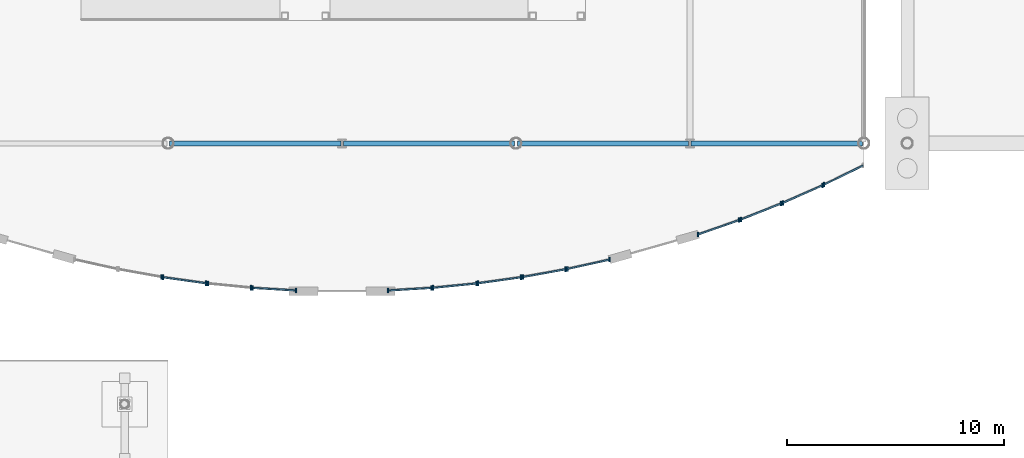
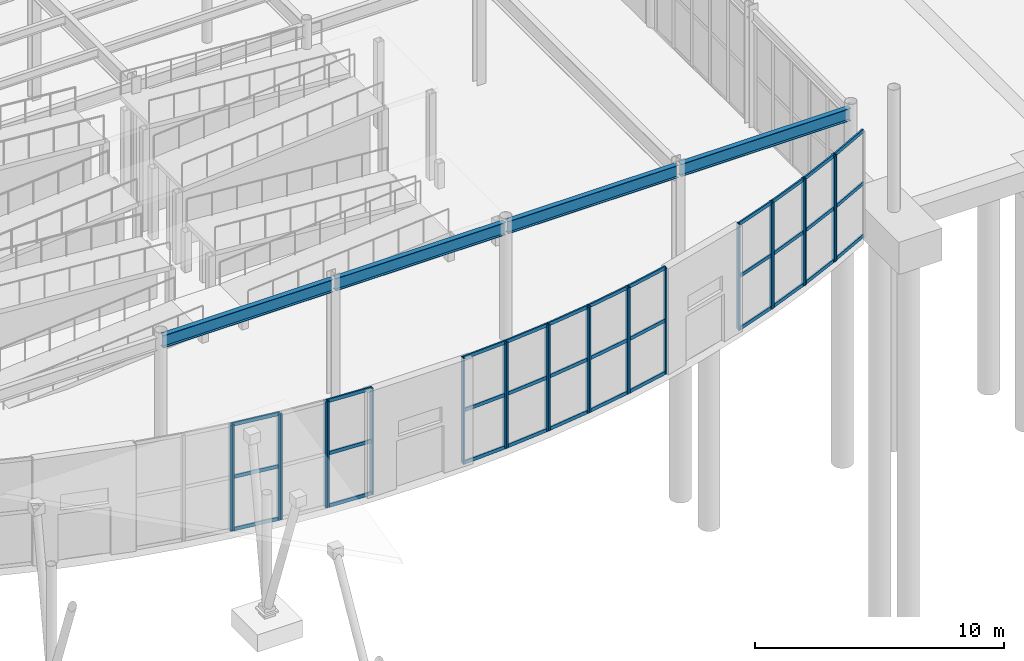
# One storey, part 34 of 82: 57 members, 4 beams, 13 elements without a shape of their own.
"""IFC4 building model written with IfcOpenShell, lengths in metres."""

from ifc_helpers import new_model, si_unit, direction, frame, origin, origin_2d, place, context, subcontext, project, spatial, rectangle, i_section, extrude, material, material_profile, profile_set, type_object, element, aggregate, save


model = new_model("IFC4")

# Units and contexts
model_context = context("Model", 3, precision=1e-05, world=origin(), true_north=direction((0.0, 1.0)))
body_context = subcontext(model_context, "Body", "Model", "MODEL_VIEW")
ifc_project = project(units=[si_unit("LENGTHUNIT", "METRE"), si_unit("AREAUNIT", "SQUARE_METRE"), si_unit("VOLUMEUNIT", "CUBIC_METRE"), si_unit("PLANEANGLEUNIT", "RADIAN"), si_unit("MASSUNIT", "GRAM", prefix="KILO")], contexts=[model_context])

# Site, building, storey
site_placement = place(None, origin())
site = spatial("IfcSite", under=ifc_project, at=site_placement, CompositionType="ELEMENT")
building_placement = place(site_placement, origin())
building = spatial("IfcBuilding", under=site, at=building_placement, Name="Drelvath Fold Interchange", CompositionType="ELEMENT")
storey_placement = place(building_placement, origin())
storey = spatial("IfcBuildingStorey", under=building, at=storey_placement, Name="L00", CompositionType="ELEMENT", Elevation=0.0)

# Beams
ifc_material_1 = material(Name="Steel ASTM A992 Grade 50", Category="steel")
ifc_material_profile_1 = material_profile(ifc_material_1, i_section(OverallWidth=0.22998046875, OverallDepth=0.616943359375, WebThickness=0.01318359375, FlangeThickness=0.022216796875, at=origin_2d()), Name="W24X94")
ifc_profile_set_1 = profile_set([ifc_material_profile_1], Name="Steel ASTM A992 Grade 50")
beam_type = type_object("IfcBeamType", Name="BM-W24X94", PredefinedType="BEAM", material=ifc_profile_set_1)
for number, where, z_axis, x_axis, name in (
    (1, (68.06005859375, 27.0, 5.430908203125), (1.0, 0.0, 0.0), (0.0, 1.0, 0.0), "L00 Primary X girder BM-W24X94"),
    (2, (76.06005859375, 27.0, 5.430908203125), (1.0, 0.0, 0.0), (0.0, 1.0, 0.0), "L00 Primary X girder BM-W24X94"),
    (3, (84.06005859375, 27.0, 5.430908203125), (1.0, 0.0, 0.0), (0.0, 1.0, 0.0), "L00 Primary X girder BM-W24X94"),
    (4, (92.06005859375, 27.0, 5.430908203125), (1.0, 0.0, 0.0), (0.0, 1.0, 0.0), "L00 Primary X girder BM-W24X94"),
):
    element("IfcBeam", number, at=place(storey_placement, frame(where, z_axis=z_axis, x_axis=x_axis)), inside=storey, type_object=beam_type, Name=name, PredefinedType="BEAM", context=body_context, shape_type="SweptSolid", body=[
        extrude(i_section(OverallWidth=0.22998046875, OverallDepth=0.616943359375, WebThickness=0.01318359375, FlangeThickness=0.022216796875, at=origin_2d()), origin(), (0.0, 0.0, 1.0), 7.8798828125),
    ])

# Curtain wall, member
ifc_material_2 = material(Name="Anodized Aluminium 6063-T6", Category="aluminium")
curtain_wall_type = type_object("IfcCurtainWallType", Name="CW-ARC-L00", PredefinedType="USERDEFINED", material=ifc_material_2)
curtain_wall_1_placement = place(storey_placement, origin())
curtain_wall_1 = element("IfcCurtainWall", 5, at=curtain_wall_1_placement, inside=storey, type_object=curtain_wall_type, Name="Curtain wall CW-WH-L00-07", ObjectType="UNITISED CURTAIN WALL", PredefinedType="USERDEFINED")
ifc_material_profile_2 = material_profile(ifc_material_2, rectangle(XDim=0.070068359375, YDim=0.2099609375, at=origin_2d()), Name="AL-M 70x210")
ifc_profile_set_2 = profile_set([ifc_material_profile_2], Name="Anodized Aluminium 6063-T6")
member_type_1 = type_object("IfcMemberType", Name="ML-210", PredefinedType="MULLION", material=ifc_profile_set_2)
member_1_placement = place(storey_placement, frame((67.68701171875, 20.85595703125, 0.0), z_axis=(0.0, 0.0, 1.0), x_axis=(1.0, 0.0, 0.0)))
member_1 = element("IfcMember", 6, at=member_1_placement, type_object=member_type_1, Name="CW-WH-L00-07 mullion 1", PredefinedType="MULLION", context=body_context, shape_type="SweptSolid", body=[
    extrude(rectangle(XDim=0.070068359375, YDim=0.2099609375, at=origin_2d()), origin(), (0.0, 0.0, 1.0), 5.199951171875),
])
aggregate(curtain_wall_1, [member_1])

# Curtain wall, members
curtain_wall_2_placement = place(storey_placement, origin())
curtain_wall_2 = element("IfcCurtainWall", 7, at=curtain_wall_2_placement, inside=storey, type_object=curtain_wall_type, Name="Curtain wall CW-WH-L00-08", ObjectType="UNITISED CURTAIN WALL", PredefinedType="USERDEFINED")
member_2_placement = place(storey_placement, frame((67.76611328125, 20.843017578125, 0.0), z_axis=(0.0, 0.0, 1.0), x_axis=(1.0, 0.0, 0.0)))
member_2 = element("IfcMember", 8, at=member_2_placement, type_object=member_type_1, Name="CW-WH-L00-08 mullion 0", PredefinedType="MULLION", context=body_context, shape_type="SweptSolid", body=[
    extrude(rectangle(XDim=0.070068359375, YDim=0.2099609375, at=origin_2d()), origin(), (0.0, 0.0, 1.0), 5.199951171875),
])
member_3_placement = place(storey_placement, frame((69.742919921875, 20.568115234375, 0.0), z_axis=(0.0, 0.0, 1.0), x_axis=(1.0, 0.0, 0.0)))
member_3 = element("IfcMember", 9, at=member_3_placement, type_object=member_type_1, Name="CW-WH-L00-08 mullion 1", PredefinedType="MULLION", context=body_context, shape_type="SweptSolid", body=[
    extrude(rectangle(XDim=0.070068359375, YDim=0.2099609375, at=origin_2d()), origin(), (0.0, 0.0, 1.0), 5.199951171875),
])

curtain_wall_3_placement = place(storey_placement, origin())
curtain_wall_3 = element("IfcCurtainWall", 10, at=curtain_wall_3_placement, inside=storey, type_object=curtain_wall_type, Name="Curtain wall CW-WH-L00-09", ObjectType="UNITISED CURTAIN WALL", PredefinedType="USERDEFINED")
member_4_placement = place(storey_placement, frame((69.822998046875, 20.55810546875, 0.0), z_axis=(0.0, 0.0, 1.0), x_axis=(1.0, 0.0, 0.0)))
member_4 = element("IfcMember", 11, at=member_4_placement, type_object=member_type_1, Name="CW-WH-L00-09 mullion 0", PredefinedType="MULLION", context=body_context, shape_type="SweptSolid", body=[
    extrude(rectangle(XDim=0.070068359375, YDim=0.2099609375, at=origin_2d()), origin(), (0.0, 0.0, 1.0), 5.199951171875),
])
member_5_placement = place(storey_placement, frame((71.81005859375, 20.361083984375, 0.0), z_axis=(0.0, 0.0, 1.0), x_axis=(1.0, 0.0, 0.0)))
member_5 = element("IfcMember", 12, at=member_5_placement, type_object=member_type_1, Name="CW-WH-L00-09 mullion 1", PredefinedType="MULLION", context=body_context, shape_type="SweptSolid", body=[
    extrude(rectangle(XDim=0.070068359375, YDim=0.2099609375, at=origin_2d()), origin(), (0.0, 0.0, 1.0), 5.199951171875),
])
aggregate(curtain_wall_3, [member_4, member_5])

curtain_wall_4_placement = place(storey_placement, origin())
curtain_wall_4 = element("IfcCurtainWall", 13, at=curtain_wall_4_placement, inside=storey, type_object=curtain_wall_type, Name="Curtain wall CW-WH-L00-10", ObjectType="UNITISED CURTAIN WALL", PredefinedType="USERDEFINED")
member_6_placement = place(storey_placement, frame((71.889892578125, 20.35498046875, 0.0), z_axis=(0.0, 0.0, 1.0), x_axis=(1.0, 0.0, 0.0)))
member_6 = element("IfcMember", 14, at=member_6_placement, type_object=member_type_1, Name="CW-WH-L00-10 mullion 0", PredefinedType="MULLION", context=body_context, shape_type="SweptSolid", body=[
    extrude(rectangle(XDim=0.070068359375, YDim=0.2099609375, at=origin_2d()), origin(), (0.0, 0.0, 1.0), 5.199951171875),
])
member_7_placement = place(storey_placement, frame((73.883056640625, 20.236083984375, 0.0), z_axis=(0.0, 0.0, 1.0), x_axis=(1.0, 0.0, 0.0)))
member_7 = element("IfcMember", 15, at=member_7_placement, type_object=member_type_1, Name="CW-WH-L00-10 mullion 1", PredefinedType="MULLION", context=body_context, shape_type="SweptSolid", body=[
    extrude(rectangle(XDim=0.070068359375, YDim=0.2099609375, at=origin_2d()), origin(), (0.0, 0.0, 1.0), 5.199951171875),
])

curtain_wall_5_placement = place(storey_placement, origin())
curtain_wall_5 = element("IfcCurtainWall", 16, at=curtain_wall_5_placement, inside=storey, type_object=curtain_wall_type, Name="Curtain wall CW-WH-L00-13", ObjectType="UNITISED CURTAIN WALL", PredefinedType="USERDEFINED")
member_8_placement = place(storey_placement, frame((78.116943359375, 20.236083984375, 0.0), z_axis=(0.0, 0.0, 1.0), x_axis=(1.0, 0.0, 0.0)))
member_8 = element("IfcMember", 17, at=member_8_placement, type_object=member_type_1, Name="CW-WH-L00-13 mullion 0", PredefinedType="MULLION", context=body_context, shape_type="SweptSolid", body=[
    extrude(rectangle(XDim=0.070068359375, YDim=0.2099609375, at=origin_2d()), origin(), (0.0, 0.0, 1.0), 5.199951171875),
])
member_9_placement = place(storey_placement, frame((80.110107421875, 20.35498046875, 0.0), z_axis=(0.0, 0.0, 1.0), x_axis=(1.0, 0.0, 0.0)))
member_9 = element("IfcMember", 18, at=member_9_placement, type_object=member_type_1, Name="CW-WH-L00-13 mullion 1", PredefinedType="MULLION", context=body_context, shape_type="SweptSolid", body=[
    extrude(rectangle(XDim=0.070068359375, YDim=0.2099609375, at=origin_2d()), origin(), (0.0, 0.0, 1.0), 5.199951171875),
])

curtain_wall_6_placement = place(storey_placement, origin())
curtain_wall_6 = element("IfcCurtainWall", 19, at=curtain_wall_6_placement, inside=storey, type_object=curtain_wall_type, Name="Curtain wall CW-WH-L00-14", ObjectType="UNITISED CURTAIN WALL", PredefinedType="USERDEFINED")
member_10_placement = place(storey_placement, frame((80.18994140625, 20.361083984375, 0.0), z_axis=(0.0, 0.0, 1.0), x_axis=(1.0, 0.0, 0.0)))
member_10 = element("IfcMember", 20, at=member_10_placement, type_object=member_type_1, Name="CW-WH-L00-14 mullion 0", PredefinedType="MULLION", context=body_context, shape_type="SweptSolid", body=[
    extrude(rectangle(XDim=0.070068359375, YDim=0.2099609375, at=origin_2d()), origin(), (0.0, 0.0, 1.0), 5.199951171875),
])
member_11_placement = place(storey_placement, frame((82.177001953125, 20.55810546875, 0.0), z_axis=(0.0, 0.0, 1.0), x_axis=(1.0, 0.0, 0.0)))
member_11 = element("IfcMember", 21, at=member_11_placement, type_object=member_type_1, Name="CW-WH-L00-14 mullion 1", PredefinedType="MULLION", context=body_context, shape_type="SweptSolid", body=[
    extrude(rectangle(XDim=0.070068359375, YDim=0.2099609375, at=origin_2d()), origin(), (0.0, 0.0, 1.0), 5.199951171875),
])

curtain_wall_7_placement = place(storey_placement, origin())
curtain_wall_7 = element("IfcCurtainWall", 22, at=curtain_wall_7_placement, inside=storey, type_object=curtain_wall_type, Name="Curtain wall CW-WH-L00-15", ObjectType="UNITISED CURTAIN WALL", PredefinedType="USERDEFINED")
member_12_placement = place(storey_placement, frame((82.257080078125, 20.568115234375, 0.0), z_axis=(0.0, 0.0, 1.0), x_axis=(1.0, 0.0, 0.0)))
member_12 = element("IfcMember", 23, at=member_12_placement, type_object=member_type_1, Name="CW-WH-L00-15 mullion 0", PredefinedType="MULLION", context=body_context, shape_type="SweptSolid", body=[
    extrude(rectangle(XDim=0.070068359375, YDim=0.2099609375, at=origin_2d()), origin(), (0.0, 0.0, 1.0), 5.199951171875),
])
member_13_placement = place(storey_placement, frame((84.23388671875, 20.843017578125, 0.0), z_axis=(0.0, 0.0, 1.0), x_axis=(1.0, 0.0, 0.0)))
member_13 = element("IfcMember", 24, at=member_13_placement, type_object=member_type_1, Name="CW-WH-L00-15 mullion 1", PredefinedType="MULLION", context=body_context, shape_type="SweptSolid", body=[
    extrude(rectangle(XDim=0.070068359375, YDim=0.2099609375, at=origin_2d()), origin(), (0.0, 0.0, 1.0), 5.199951171875),
])

curtain_wall_8_placement = place(storey_placement, origin())
curtain_wall_8 = element("IfcCurtainWall", 25, at=curtain_wall_8_placement, inside=storey, type_object=curtain_wall_type, Name="Curtain wall CW-WH-L00-16", ObjectType="UNITISED CURTAIN WALL", PredefinedType="USERDEFINED")
member_14_placement = place(storey_placement, frame((84.31298828125, 20.85595703125, 0.0), z_axis=(0.0, 0.0, 1.0), x_axis=(1.0, 0.0, 0.0)))
member_14 = element("IfcMember", 26, at=member_14_placement, type_object=member_type_1, Name="CW-WH-L00-16 mullion 0", PredefinedType="MULLION", context=body_context, shape_type="SweptSolid", body=[
    extrude(rectangle(XDim=0.070068359375, YDim=0.2099609375, at=origin_2d()), origin(), (0.0, 0.0, 1.0), 5.199951171875),
])
member_15_placement = place(storey_placement, frame((86.279052734375, 21.2099609375, 0.0), z_axis=(0.0, 0.0, 1.0), x_axis=(1.0, 0.0, 0.0)))
member_15 = element("IfcMember", 27, at=member_15_placement, type_object=member_type_1, Name="CW-WH-L00-16 mullion 1", PredefinedType="MULLION", context=body_context, shape_type="SweptSolid", body=[
    extrude(rectangle(XDim=0.070068359375, YDim=0.2099609375, at=origin_2d()), origin(), (0.0, 0.0, 1.0), 5.199951171875),
])

curtain_wall_9_placement = place(storey_placement, origin())
curtain_wall_9 = element("IfcCurtainWall", 28, at=curtain_wall_9_placement, inside=storey, type_object=curtain_wall_type, Name="Curtain wall CW-WH-L00-17", ObjectType="UNITISED CURTAIN WALL", PredefinedType="USERDEFINED")
member_16_placement = place(storey_placement, frame((86.35693359375, 21.22607421875, 0.0), z_axis=(0.0, 0.0, 1.0), x_axis=(1.0, 0.0, 0.0)))
member_16 = element("IfcMember", 29, at=member_16_placement, type_object=member_type_1, Name="CW-WH-L00-17 mullion 0", PredefinedType="MULLION", context=body_context, shape_type="SweptSolid", body=[
    extrude(rectangle(XDim=0.070068359375, YDim=0.2099609375, at=origin_2d()), origin(), (0.0, 0.0, 1.0), 5.199951171875),
])
member_17_placement = place(storey_placement, frame((88.306884765625, 21.656005859375, 0.0), z_axis=(0.0, 0.0, 1.0), x_axis=(1.0, 0.0, 0.0)))
member_17 = element("IfcMember", 30, at=member_17_placement, type_object=member_type_1, Name="CW-WH-L00-17 mullion 1", PredefinedType="MULLION", context=body_context, shape_type="SweptSolid", body=[
    extrude(rectangle(XDim=0.070068359375, YDim=0.2099609375, at=origin_2d()), origin(), (0.0, 0.0, 1.0), 5.199951171875),
])

curtain_wall_10_placement = place(storey_placement, origin())
curtain_wall_10 = element("IfcCurtainWall", 31, at=curtain_wall_10_placement, inside=storey, type_object=curtain_wall_type, Name="Curtain wall CW-WH-L00-20", ObjectType="UNITISED CURTAIN WALL", PredefinedType="USERDEFINED")
member_18_placement = place(storey_placement, frame((92.37890625, 22.81396484375, 0.0), z_axis=(0.0, 0.0, 1.0), x_axis=(1.0, 0.0, 0.0)))
member_18 = element("IfcMember", 32, at=member_18_placement, type_object=member_type_1, Name="CW-WH-L00-20 mullion 0", PredefinedType="MULLION", context=body_context, shape_type="SweptSolid", body=[
    extrude(rectangle(XDim=0.070068359375, YDim=0.2099609375, at=origin_2d()), origin(), (0.0, 0.0, 1.0), 5.199951171875),
])
member_19_placement = place(storey_placement, frame((94.263916015625, 23.472900390625, 0.0), z_axis=(0.0, 0.0, 1.0), x_axis=(1.0, 0.0, 0.0)))
member_19 = element("IfcMember", 33, at=member_19_placement, type_object=member_type_1, Name="CW-WH-L00-20 mullion 1", PredefinedType="MULLION", context=body_context, shape_type="SweptSolid", body=[
    extrude(rectangle(XDim=0.070068359375, YDim=0.2099609375, at=origin_2d()), origin(), (0.0, 0.0, 1.0), 5.199951171875),
])

curtain_wall_11_placement = place(storey_placement, origin())
curtain_wall_11 = element("IfcCurtainWall", 34, at=curtain_wall_11_placement, inside=storey, type_object=curtain_wall_type, Name="Curtain wall CW-WH-L00-21", ObjectType="UNITISED CURTAIN WALL", PredefinedType="USERDEFINED")
member_20_placement = place(storey_placement, frame((94.339111328125, 23.5009765625, 0.0), z_axis=(0.0, 0.0, 1.0), x_axis=(1.0, 0.0, 0.0)))
member_20 = element("IfcMember", 35, at=member_20_placement, type_object=member_type_1, Name="CW-WH-L00-21 mullion 0", PredefinedType="MULLION", context=body_context, shape_type="SweptSolid", body=[
    extrude(rectangle(XDim=0.070068359375, YDim=0.2099609375, at=origin_2d()), origin(), (0.0, 0.0, 1.0), 5.199951171875),
])
member_21_placement = place(storey_placement, frame((96.197021484375, 24.23388671875, 0.0), z_axis=(0.0, 0.0, 1.0), x_axis=(1.0, 0.0, 0.0)))
member_21 = element("IfcMember", 36, at=member_21_placement, type_object=member_type_1, Name="CW-WH-L00-21 mullion 1", PredefinedType="MULLION", context=body_context, shape_type="SweptSolid", body=[
    extrude(rectangle(XDim=0.070068359375, YDim=0.2099609375, at=origin_2d()), origin(), (0.0, 0.0, 1.0), 5.199951171875),
])

curtain_wall_12_placement = place(storey_placement, origin())
curtain_wall_12 = element("IfcCurtainWall", 37, at=curtain_wall_12_placement, inside=storey, type_object=curtain_wall_type, Name="Curtain wall CW-WH-L00-22", ObjectType="UNITISED CURTAIN WALL", PredefinedType="USERDEFINED")
member_22_placement = place(storey_placement, frame((96.27099609375, 24.264892578125, 0.0), z_axis=(0.0, 0.0, 1.0), x_axis=(1.0, 0.0, 0.0)))
member_22 = element("IfcMember", 38, at=member_22_placement, type_object=member_type_1, Name="CW-WH-L00-22 mullion 0", PredefinedType="MULLION", context=body_context, shape_type="SweptSolid", body=[
    extrude(rectangle(XDim=0.070068359375, YDim=0.2099609375, at=origin_2d()), origin(), (0.0, 0.0, 1.0), 5.199951171875),
])
member_23_placement = place(storey_placement, frame((98.096923828125, 25.071044921875, 0.0), z_axis=(0.0, 0.0, 1.0), x_axis=(1.0, 0.0, 0.0)))
member_23 = element("IfcMember", 39, at=member_23_placement, type_object=member_type_1, Name="CW-WH-L00-22 mullion 1", PredefinedType="MULLION", context=body_context, shape_type="SweptSolid", body=[
    extrude(rectangle(XDim=0.070068359375, YDim=0.2099609375, at=origin_2d()), origin(), (0.0, 0.0, 1.0), 5.199951171875),
])

# Curtain wall, member
curtain_wall_13_placement = place(storey_placement, origin())
curtain_wall_13 = element("IfcCurtainWall", 40, at=curtain_wall_13_placement, inside=storey, type_object=curtain_wall_type, Name="Curtain wall CW-WH-L00-23", ObjectType="UNITISED CURTAIN WALL", PredefinedType="USERDEFINED")
member_24_placement = place(storey_placement, frame((98.169921875, 25.10498046875, 0.0), z_axis=(0.0, 0.0, 1.0), x_axis=(1.0, 0.0, 0.0)))
member_24 = element("IfcMember", 41, at=member_24_placement, type_object=member_type_1, Name="CW-WH-L00-23 mullion 0", PredefinedType="MULLION", context=body_context, shape_type="SweptSolid", body=[
    extrude(rectangle(XDim=0.070068359375, YDim=0.2099609375, at=origin_2d()), origin(), (0.0, 0.0, 1.0), 5.199951171875),
])

# Member
ifc_material_profile_3 = material_profile(ifc_material_2, rectangle(XDim=0.070068359375, YDim=0.169921875, at=origin_2d()), Name="AL-T 70x170")
ifc_profile_set_3 = profile_set([ifc_material_profile_3], Name="Anodized Aluminium 6063-T6")
member_type_2 = type_object("IfcMemberType", Name="TR-170", PredefinedType="USERDEFINED", material=ifc_profile_set_3)
member_25_placement = place(storey_placement, frame((67.76611328125, 20.843017578125, 0.030029296875), z_axis=(0.990468645435, -0.13773838394, 0.0), x_axis=(0.13773838394, 0.990468645435, 0.0)))
member_25 = element("IfcMember", 42, at=member_25_placement, type_object=member_type_2, Name="CW-WH-L00-08 transom 0", ObjectType="TRANSOM", PredefinedType="USERDEFINED", context=body_context, shape_type="SweptSolid", body=[
    extrude(rectangle(XDim=0.070068359375, YDim=0.169921875, at=origin_2d()), origin(), (0.0, 0.0, 1.0), 1.995849609375),
])

member_26_placement = place(storey_placement, frame((67.76611328125, 20.843017578125, 2.60009765625), z_axis=(0.990468645435, -0.13773838394, 0.0), x_axis=(0.13773838394, 0.990468645435, 0.0)))
member_26 = element("IfcMember", 43, at=member_26_placement, type_object=member_type_2, Name="CW-WH-L00-08 transom 1", ObjectType="TRANSOM", PredefinedType="USERDEFINED", context=body_context, shape_type="SweptSolid", body=[
    extrude(rectangle(XDim=0.070068359375, YDim=0.169921875, at=origin_2d()), origin(), (0.0, 0.0, 1.0), 1.995849609375),
])

member_27_placement = place(storey_placement, frame((67.76611328125, 20.843017578125, 5.169921875), z_axis=(0.990468645435, -0.13773838394, 0.0), x_axis=(0.13773838394, 0.990468645435, 0.0)))
member_27 = element("IfcMember", 44, at=member_27_placement, type_object=member_type_2, Name="CW-WH-L00-08 transom 2", ObjectType="TRANSOM", PredefinedType="USERDEFINED", context=body_context, shape_type="SweptSolid", body=[
    extrude(rectangle(XDim=0.070068359375, YDim=0.169921875, at=origin_2d()), origin(), (0.0, 0.0, 1.0), 1.995849609375),
])

aggregate(curtain_wall_2, [member_2, member_3, member_25, member_26, member_27])

member_28_placement = place(storey_placement, frame((71.889892578125, 20.35498046875, 0.030029296875), z_axis=(0.998225545846, -0.059546281336, 0.0), x_axis=(0.059546281336, 0.998225545846, 0.0)))
member_28 = element("IfcMember", 45, at=member_28_placement, type_object=member_type_2, Name="CW-WH-L00-10 transom 0", ObjectType="TRANSOM", PredefinedType="USERDEFINED", context=body_context, shape_type="SweptSolid", body=[
    extrude(rectangle(XDim=0.070068359375, YDim=0.169921875, at=origin_2d()), origin(), (0.0, 0.0, 1.0), 1.996826171875),
])

member_29_placement = place(storey_placement, frame((71.889892578125, 20.35498046875, 2.60009765625), z_axis=(0.998225545846, -0.059546281336, 0.0), x_axis=(0.059546281336, 0.998225545846, 0.0)))
member_29 = element("IfcMember", 46, at=member_29_placement, type_object=member_type_2, Name="CW-WH-L00-10 transom 1", ObjectType="TRANSOM", PredefinedType="USERDEFINED", context=body_context, shape_type="SweptSolid", body=[
    extrude(rectangle(XDim=0.070068359375, YDim=0.169921875, at=origin_2d()), origin(), (0.0, 0.0, 1.0), 1.996826171875),
])

member_30_placement = place(storey_placement, frame((71.889892578125, 20.35498046875, 5.169921875), z_axis=(0.998225545846, -0.059546281336, 0.0), x_axis=(0.059546281336, 0.998225545846, 0.0)))
member_30 = element("IfcMember", 47, at=member_30_placement, type_object=member_type_2, Name="CW-WH-L00-10 transom 2", ObjectType="TRANSOM", PredefinedType="USERDEFINED", context=body_context, shape_type="SweptSolid", body=[
    extrude(rectangle(XDim=0.070068359375, YDim=0.169921875, at=origin_2d()), origin(), (0.0, 0.0, 1.0), 1.996826171875),
])

aggregate(curtain_wall_4, [member_6, member_7, member_28, member_29, member_30])

member_31_placement = place(storey_placement, frame((78.116943359375, 20.236083984375, 0.030029296875), z_axis=(0.998225545846, 0.059546281336, 0.0), x_axis=(-0.059546281336, 0.998225545846, 0.0)))
member_31 = element("IfcMember", 48, at=member_31_placement, type_object=member_type_2, Name="CW-WH-L00-13 transom 0", ObjectType="TRANSOM", PredefinedType="USERDEFINED", context=body_context, shape_type="SweptSolid", body=[
    extrude(rectangle(XDim=0.070068359375, YDim=0.169921875, at=origin_2d()), origin(), (0.0, 0.0, 1.0), 1.996826171875),
])

member_32_placement = place(storey_placement, frame((78.116943359375, 20.236083984375, 2.60009765625), z_axis=(0.998225545846, 0.059546281336, 0.0), x_axis=(-0.059546281336, 0.998225545846, 0.0)))
member_32 = element("IfcMember", 49, at=member_32_placement, type_object=member_type_2, Name="CW-WH-L00-13 transom 1", ObjectType="TRANSOM", PredefinedType="USERDEFINED", context=body_context, shape_type="SweptSolid", body=[
    extrude(rectangle(XDim=0.070068359375, YDim=0.169921875, at=origin_2d()), origin(), (0.0, 0.0, 1.0), 1.996826171875),
])

member_33_placement = place(storey_placement, frame((78.116943359375, 20.236083984375, 5.169921875), z_axis=(0.998225545846, 0.059546281336, 0.0), x_axis=(-0.059546281336, 0.998225545846, 0.0)))
member_33 = element("IfcMember", 50, at=member_33_placement, type_object=member_type_2, Name="CW-WH-L00-13 transom 2", ObjectType="TRANSOM", PredefinedType="USERDEFINED", context=body_context, shape_type="SweptSolid", body=[
    extrude(rectangle(XDim=0.070068359375, YDim=0.169921875, at=origin_2d()), origin(), (0.0, 0.0, 1.0), 1.996826171875),
])

aggregate(curtain_wall_5, [member_8, member_9, member_31, member_32, member_33])

member_34_placement = place(storey_placement, frame((80.18994140625, 20.361083984375, 0.030029296875), z_axis=(0.995120367662, 0.098668403576, 0.0), x_axis=(-0.098668403576, 0.995120367662, 0.0)))
member_34 = element("IfcMember", 51, at=member_34_placement, type_object=member_type_2, Name="CW-WH-L00-14 transom 0", ObjectType="TRANSOM", PredefinedType="USERDEFINED", context=body_context, shape_type="SweptSolid", body=[
    extrude(rectangle(XDim=0.070068359375, YDim=0.169921875, at=origin_2d()), origin(), (0.0, 0.0, 1.0), 1.996826171875),
])

member_35_placement = place(storey_placement, frame((80.18994140625, 20.361083984375, 2.60009765625), z_axis=(0.995120367662, 0.098668403576, 0.0), x_axis=(-0.098668403576, 0.995120367662, 0.0)))
member_35 = element("IfcMember", 52, at=member_35_placement, type_object=member_type_2, Name="CW-WH-L00-14 transom 1", ObjectType="TRANSOM", PredefinedType="USERDEFINED", context=body_context, shape_type="SweptSolid", body=[
    extrude(rectangle(XDim=0.070068359375, YDim=0.169921875, at=origin_2d()), origin(), (0.0, 0.0, 1.0), 1.996826171875),
])

member_36_placement = place(storey_placement, frame((80.18994140625, 20.361083984375, 5.169921875), z_axis=(0.995120367662, 0.098668403576, 0.0), x_axis=(-0.098668403576, 0.995120367662, 0.0)))
member_36 = element("IfcMember", 53, at=member_36_placement, type_object=member_type_2, Name="CW-WH-L00-14 transom 2", ObjectType="TRANSOM", PredefinedType="USERDEFINED", context=body_context, shape_type="SweptSolid", body=[
    extrude(rectangle(XDim=0.070068359375, YDim=0.169921875, at=origin_2d()), origin(), (0.0, 0.0, 1.0), 1.996826171875),
])

aggregate(curtain_wall_6, [member_10, member_11, member_34, member_35, member_36])

member_37_placement = place(storey_placement, frame((82.257080078125, 20.568115234375, 0.030029296875), z_axis=(0.990468645435, 0.13773838394, 0.0), x_axis=(-0.13773838394, 0.990468645435, 0.0)))
member_37 = element("IfcMember", 54, at=member_37_placement, type_object=member_type_2, Name="CW-WH-L00-15 transom 0", ObjectType="TRANSOM", PredefinedType="USERDEFINED", context=body_context, shape_type="SweptSolid", body=[
    extrude(rectangle(XDim=0.070068359375, YDim=0.169921875, at=origin_2d()), origin(), (0.0, 0.0, 1.0), 1.995849609375),
])

member_38_placement = place(storey_placement, frame((82.257080078125, 20.568115234375, 2.60009765625), z_axis=(0.990468645435, 0.13773838394, 0.0), x_axis=(-0.13773838394, 0.990468645435, 0.0)))
member_38 = element("IfcMember", 55, at=member_38_placement, type_object=member_type_2, Name="CW-WH-L00-15 transom 1", ObjectType="TRANSOM", PredefinedType="USERDEFINED", context=body_context, shape_type="SweptSolid", body=[
    extrude(rectangle(XDim=0.070068359375, YDim=0.169921875, at=origin_2d()), origin(), (0.0, 0.0, 1.0), 1.995849609375),
])

member_39_placement = place(storey_placement, frame((82.257080078125, 20.568115234375, 5.169921875), z_axis=(0.990468645435, 0.13773838394, 0.0), x_axis=(-0.13773838394, 0.990468645435, 0.0)))
member_39 = element("IfcMember", 56, at=member_39_placement, type_object=member_type_2, Name="CW-WH-L00-15 transom 2", ObjectType="TRANSOM", PredefinedType="USERDEFINED", context=body_context, shape_type="SweptSolid", body=[
    extrude(rectangle(XDim=0.070068359375, YDim=0.169921875, at=origin_2d()), origin(), (0.0, 0.0, 1.0), 1.995849609375),
])

aggregate(curtain_wall_7, [member_12, member_13, member_37, member_38, member_39])

member_40_placement = place(storey_placement, frame((84.31298828125, 20.85595703125, 0.030029296875), z_axis=(0.984173520882, 0.177207451295, 0.0), x_axis=(-0.177207451295, 0.984173520882, 0.0)))
member_40 = element("IfcMember", 57, at=member_40_placement, type_object=member_type_2, Name="CW-WH-L00-16 transom 0", ObjectType="TRANSOM", PredefinedType="USERDEFINED", context=body_context, shape_type="SweptSolid", body=[
    extrude(rectangle(XDim=0.070068359375, YDim=0.169921875, at=origin_2d()), origin(), (0.0, 0.0, 1.0), 1.997802734375),
])

member_41_placement = place(storey_placement, frame((84.31298828125, 20.85595703125, 2.60009765625), z_axis=(0.984173520882, 0.177207451295, 0.0), x_axis=(-0.177207451295, 0.984173520882, 0.0)))
member_41 = element("IfcMember", 58, at=member_41_placement, type_object=member_type_2, Name="CW-WH-L00-16 transom 1", ObjectType="TRANSOM", PredefinedType="USERDEFINED", context=body_context, shape_type="SweptSolid", body=[
    extrude(rectangle(XDim=0.070068359375, YDim=0.169921875, at=origin_2d()), origin(), (0.0, 0.0, 1.0), 1.997802734375),
])

member_42_placement = place(storey_placement, frame((84.31298828125, 20.85595703125, 5.169921875), z_axis=(0.984173520882, 0.177207451295, 0.0), x_axis=(-0.177207451295, 0.984173520882, 0.0)))
member_42 = element("IfcMember", 59, at=member_42_placement, type_object=member_type_2, Name="CW-WH-L00-16 transom 2", ObjectType="TRANSOM", PredefinedType="USERDEFINED", context=body_context, shape_type="SweptSolid", body=[
    extrude(rectangle(XDim=0.070068359375, YDim=0.169921875, at=origin_2d()), origin(), (0.0, 0.0, 1.0), 1.997802734375),
])

aggregate(curtain_wall_8, [member_14, member_15, member_40, member_41, member_42])

member_43_placement = place(storey_placement, frame((86.35693359375, 21.22607421875, 0.030029296875), z_axis=(0.976545327277, 0.21531192204, 0.0), x_axis=(-0.21531192204, 0.976545327277, 0.0)))
member_43 = element("IfcMember", 60, at=member_43_placement, type_object=member_type_2, Name="CW-WH-L00-17 transom 0", ObjectType="TRANSOM", PredefinedType="USERDEFINED", context=body_context, shape_type="SweptSolid", body=[
    extrude(rectangle(XDim=0.070068359375, YDim=0.169921875, at=origin_2d()), origin(), (0.0, 0.0, 1.0), 1.996826171875),
])

member_44_placement = place(storey_placement, frame((86.35693359375, 21.22607421875, 2.60009765625), z_axis=(0.976545327277, 0.21531192204, 0.0), x_axis=(-0.21531192204, 0.976545327277, 0.0)))
member_44 = element("IfcMember", 61, at=member_44_placement, type_object=member_type_2, Name="CW-WH-L00-17 transom 1", ObjectType="TRANSOM", PredefinedType="USERDEFINED", context=body_context, shape_type="SweptSolid", body=[
    extrude(rectangle(XDim=0.070068359375, YDim=0.169921875, at=origin_2d()), origin(), (0.0, 0.0, 1.0), 1.996826171875),
])

member_45_placement = place(storey_placement, frame((86.35693359375, 21.22607421875, 5.169921875), z_axis=(0.976545327277, 0.21531192204, 0.0), x_axis=(-0.21531192204, 0.976545327277, 0.0)))
member_45 = element("IfcMember", 62, at=member_45_placement, type_object=member_type_2, Name="CW-WH-L00-17 transom 2", ObjectType="TRANSOM", PredefinedType="USERDEFINED", context=body_context, shape_type="SweptSolid", body=[
    extrude(rectangle(XDim=0.070068359375, YDim=0.169921875, at=origin_2d()), origin(), (0.0, 0.0, 1.0), 1.996826171875),
])

aggregate(curtain_wall_9, [member_16, member_17, member_43, member_44, member_45])

member_46_placement = place(storey_placement, frame((92.37890625, 22.81396484375, 0.030029296875), z_axis=(0.943985993954, 0.32998551971, 0.0), x_axis=(-0.32998551971, 0.943985993954, 0.0)))
member_46 = element("IfcMember", 63, at=member_46_placement, type_object=member_type_2, Name="CW-WH-L00-20 transom 0", ObjectType="TRANSOM", PredefinedType="USERDEFINED", context=body_context, shape_type="SweptSolid", body=[
    extrude(rectangle(XDim=0.070068359375, YDim=0.169921875, at=origin_2d()), origin(), (0.0, 0.0, 1.0), 1.996826171875),
])

member_47_placement = place(storey_placement, frame((92.37890625, 22.81396484375, 2.60009765625), z_axis=(0.943985993954, 0.32998551971, 0.0), x_axis=(-0.32998551971, 0.943985993954, 0.0)))
member_47 = element("IfcMember", 64, at=member_47_placement, type_object=member_type_2, Name="CW-WH-L00-20 transom 1", ObjectType="TRANSOM", PredefinedType="USERDEFINED", context=body_context, shape_type="SweptSolid", body=[
    extrude(rectangle(XDim=0.070068359375, YDim=0.169921875, at=origin_2d()), origin(), (0.0, 0.0, 1.0), 1.996826171875),
])

member_48_placement = place(storey_placement, frame((92.37890625, 22.81396484375, 5.169921875), z_axis=(0.943985993954, 0.32998551971, 0.0), x_axis=(-0.32998551971, 0.943985993954, 0.0)))
member_48 = element("IfcMember", 65, at=member_48_placement, type_object=member_type_2, Name="CW-WH-L00-20 transom 2", ObjectType="TRANSOM", PredefinedType="USERDEFINED", context=body_context, shape_type="SweptSolid", body=[
    extrude(rectangle(XDim=0.070068359375, YDim=0.169921875, at=origin_2d()), origin(), (0.0, 0.0, 1.0), 1.996826171875),
])

aggregate(curtain_wall_10, [member_18, member_19, member_46, member_47, member_48])

member_49_placement = place(storey_placement, frame((94.339111328125, 23.5009765625, 0.030029296875), z_axis=(0.930236495688, 0.366960572938, 0.0), x_axis=(-0.366960572938, 0.930236495688, 0.0)))
member_49 = element("IfcMember", 66, at=member_49_placement, type_object=member_type_2, Name="CW-WH-L00-21 transom 0", ObjectType="TRANSOM", PredefinedType="USERDEFINED", context=body_context, shape_type="SweptSolid", body=[
    extrude(rectangle(XDim=0.070068359375, YDim=0.169921875, at=origin_2d()), origin(), (0.0, 0.0, 1.0), 1.997314453125),
])

member_50_placement = place(storey_placement, frame((94.339111328125, 23.5009765625, 2.60009765625), z_axis=(0.930236495688, 0.366960572938, 0.0), x_axis=(-0.366960572938, 0.930236495688, 0.0)))
member_50 = element("IfcMember", 67, at=member_50_placement, type_object=member_type_2, Name="CW-WH-L00-21 transom 1", ObjectType="TRANSOM", PredefinedType="USERDEFINED", context=body_context, shape_type="SweptSolid", body=[
    extrude(rectangle(XDim=0.070068359375, YDim=0.169921875, at=origin_2d()), origin(), (0.0, 0.0, 1.0), 1.997314453125),
])

member_51_placement = place(storey_placement, frame((94.339111328125, 23.5009765625, 5.169921875), z_axis=(0.930236495688, 0.366960572938, 0.0), x_axis=(-0.366960572938, 0.930236495688, 0.0)))
member_51 = element("IfcMember", 68, at=member_51_placement, type_object=member_type_2, Name="CW-WH-L00-21 transom 2", ObjectType="TRANSOM", PredefinedType="USERDEFINED", context=body_context, shape_type="SweptSolid", body=[
    extrude(rectangle(XDim=0.070068359375, YDim=0.169921875, at=origin_2d()), origin(), (0.0, 0.0, 1.0), 1.997314453125),
])

aggregate(curtain_wall_11, [member_20, member_21, member_49, member_50, member_51])

member_52_placement = place(storey_placement, frame((96.27099609375, 24.264892578125, 0.030029296875), z_axis=(0.914807496294, 0.403890139425, 0.0), x_axis=(-0.403890139425, 0.914807496294, 0.0)))
member_52 = element("IfcMember", 69, at=member_52_placement, type_object=member_type_2, Name="CW-WH-L00-22 transom 0", ObjectType="TRANSOM", PredefinedType="USERDEFINED", context=body_context, shape_type="SweptSolid", body=[
    extrude(rectangle(XDim=0.070068359375, YDim=0.169921875, at=origin_2d()), origin(), (0.0, 0.0, 1.0), 1.995849609375),
])

member_53_placement = place(storey_placement, frame((96.27099609375, 24.264892578125, 2.60009765625), z_axis=(0.914807496294, 0.403890139425, 0.0), x_axis=(-0.403890139425, 0.914807496294, 0.0)))
member_53 = element("IfcMember", 70, at=member_53_placement, type_object=member_type_2, Name="CW-WH-L00-22 transom 1", ObjectType="TRANSOM", PredefinedType="USERDEFINED", context=body_context, shape_type="SweptSolid", body=[
    extrude(rectangle(XDim=0.070068359375, YDim=0.169921875, at=origin_2d()), origin(), (0.0, 0.0, 1.0), 1.995849609375),
])

member_54_placement = place(storey_placement, frame((96.27099609375, 24.264892578125, 5.169921875), z_axis=(0.914807496294, 0.403890139425, 0.0), x_axis=(-0.403890139425, 0.914807496294, 0.0)))
member_54 = element("IfcMember", 71, at=member_54_placement, type_object=member_type_2, Name="CW-WH-L00-22 transom 2", ObjectType="TRANSOM", PredefinedType="USERDEFINED", context=body_context, shape_type="SweptSolid", body=[
    extrude(rectangle(XDim=0.070068359375, YDim=0.169921875, at=origin_2d()), origin(), (0.0, 0.0, 1.0), 1.995849609375),
])

aggregate(curtain_wall_12, [member_22, member_23, member_52, member_53, member_54])

member_55_placement = place(storey_placement, frame((98.169921875, 25.10498046875, 0.030029296875), z_axis=(0.89842509126, 0.439126810152, 0.0), x_axis=(-0.439126810152, 0.89842509126, 0.0)))
member_55 = element("IfcMember", 72, at=member_55_placement, type_object=member_type_2, Name="CW-WH-L00-23 transom 0", ObjectType="TRANSOM", PredefinedType="USERDEFINED", context=body_context, shape_type="SweptSolid", body=[
    extrude(rectangle(XDim=0.070068359375, YDim=0.169921875, at=origin_2d()), origin(), (0.0, 0.0, 1.0), 1.9970703125),
])

member_56_placement = place(storey_placement, frame((98.169921875, 25.10498046875, 2.60009765625), z_axis=(0.89842509126, 0.439126810152, 0.0), x_axis=(-0.439126810152, 0.89842509126, 0.0)))
member_56 = element("IfcMember", 73, at=member_56_placement, type_object=member_type_2, Name="CW-WH-L00-23 transom 1", ObjectType="TRANSOM", PredefinedType="USERDEFINED", context=body_context, shape_type="SweptSolid", body=[
    extrude(rectangle(XDim=0.070068359375, YDim=0.169921875, at=origin_2d()), origin(), (0.0, 0.0, 1.0), 1.9970703125),
])

member_57_placement = place(storey_placement, frame((98.169921875, 25.10498046875, 5.169921875), z_axis=(0.89842509126, 0.439126810152, 0.0), x_axis=(-0.439126810152, 0.89842509126, 0.0)))
member_57 = element("IfcMember", 74, at=member_57_placement, type_object=member_type_2, Name="CW-WH-L00-23 transom 2", ObjectType="TRANSOM", PredefinedType="USERDEFINED", context=body_context, shape_type="SweptSolid", body=[
    extrude(rectangle(XDim=0.070068359375, YDim=0.169921875, at=origin_2d()), origin(), (0.0, 0.0, 1.0), 1.9970703125),
])

aggregate(curtain_wall_13, [member_24, member_55, member_56, member_57])

save(model, "model.ifc")
